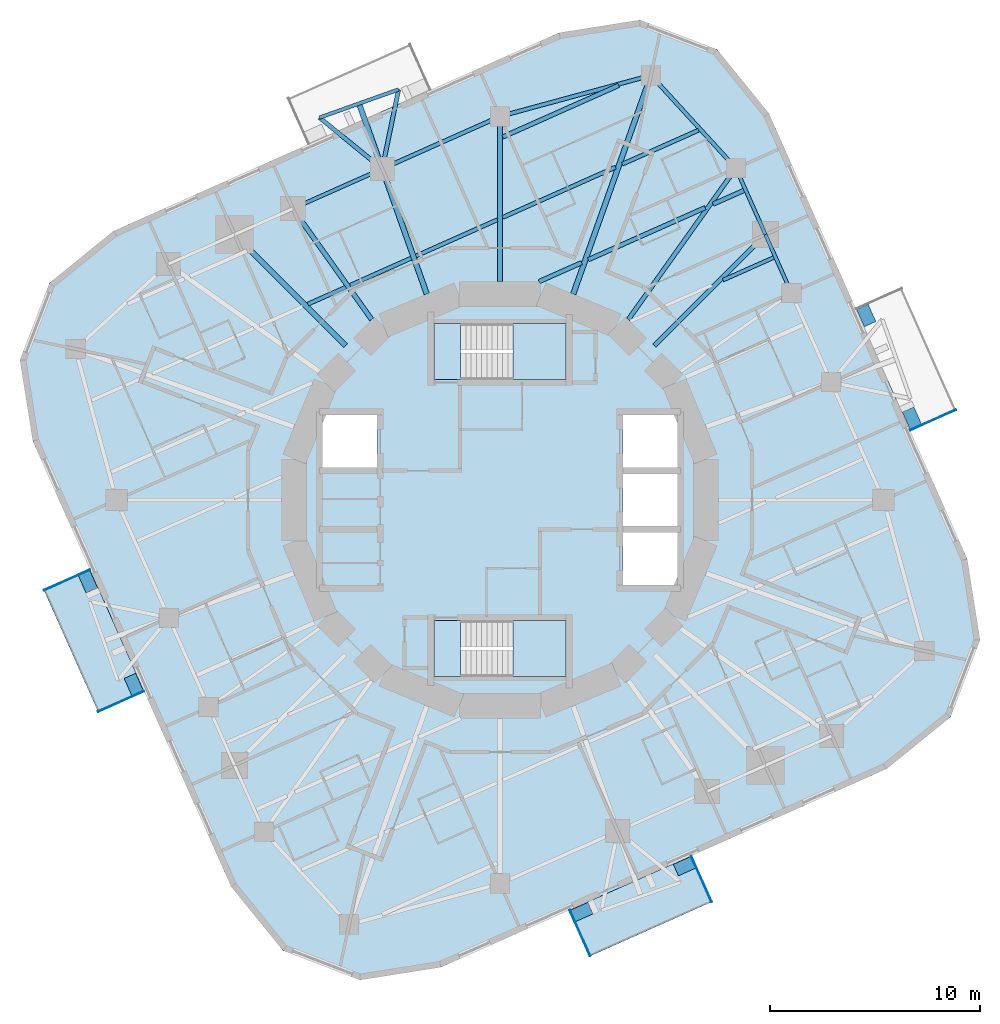
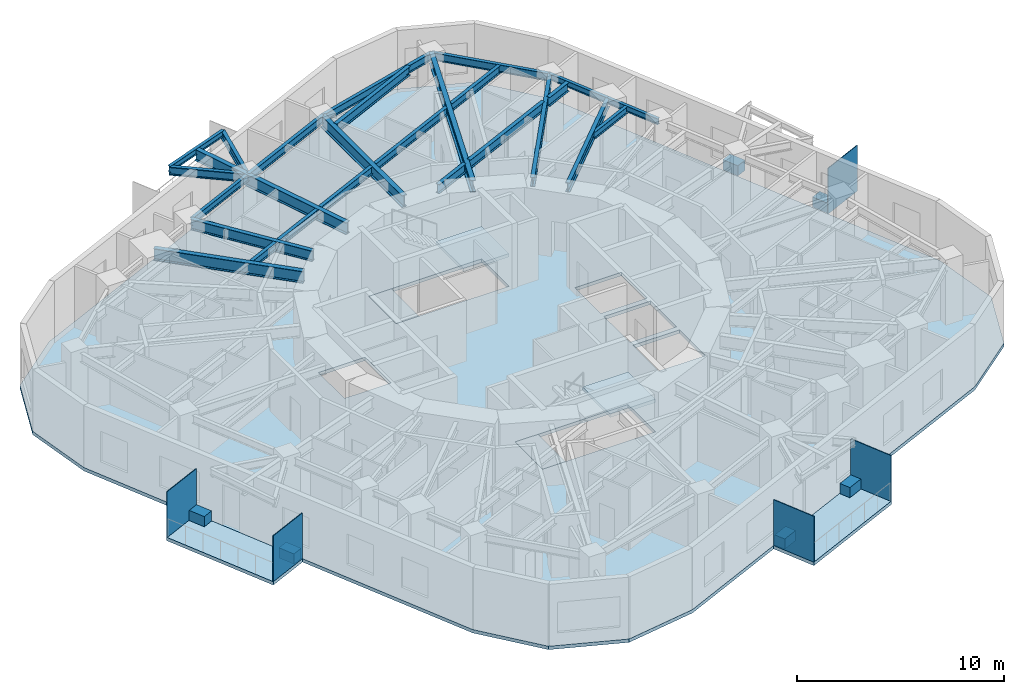
# One storey, part 3 of 12: 26 beams, 11 plates, 7 slabs, 2 elements without a shape of their own.
"""IFC4 building model written with IfcOpenShell, lengths in metres."""

from ifc_helpers import new_model, si_unit, direction, frame, origin, origin_2d, place, context, subcontext, project, spatial, polyline, rectangle, i_section, outline, extrude, material, layer, layer_set, material_profile, profile_set, type_object, element, aggregate, save


model = new_model("IFC4")

# Units and contexts
model_context = context("Model", 3, precision=1e-05, world=origin(), true_north=direction((0.0, 1.0)))
body_context = subcontext(model_context, "Body", "Model", "MODEL_VIEW")
ifc_project = project(units=[si_unit("LENGTHUNIT", "METRE"), si_unit("AREAUNIT", "SQUARE_METRE"), si_unit("VOLUMEUNIT", "CUBIC_METRE"), si_unit("PLANEANGLEUNIT", "RADIAN"), si_unit("MASSUNIT", "GRAM", prefix="KILO")], contexts=[model_context])

# Site, building, storey
site_placement = place(None, origin())
site = spatial("IfcSite", under=ifc_project, at=site_placement, CompositionType="ELEMENT")
building_placement = place(site_placement, origin())
building = spatial("IfcBuilding", under=site, at=building_placement, Name="Nakasero Lantern House", CompositionType="ELEMENT")
storey_placement = place(building_placement, frame((0.0, 0.0, 190.14990234375)))
storey = spatial("IfcBuildingStorey", under=building, at=storey_placement, Name="L46", CompositionType="ELEMENT", Elevation=190.14990234375)

# Beams
ifc_material_1 = material(Name="Steel S355", Category="steel")
ifc_material_profile_1 = material_profile(ifc_material_1, i_section(OverallWidth=0.199462890625, OverallDepth=0.491943359375, WebThickness=0.01806640625, FlangeThickness=0.031982421875, FilletRadius=0.01025390625, at=origin_2d()), Name="UB 457x191x161")
ifc_profile_set_1 = profile_set([ifc_material_profile_1], Name="Steel S355")
beam_type_1 = type_object("IfcBeamType", Name="Balcony splay beam UB 457x191x161", PredefinedType="BEAM", material=ifc_profile_set_1)
beam_1_placement = place(storey_placement, frame((-5.611328125, 15.781982421875, 3.404052734375), z_axis=(-0.774833215206, 0.632165712937, 0.0), x_axis=(-0.632165712937, -0.774833215206, 0.0)))
element("IfcBeam", 1, at=beam_1_placement, inside=storey, type_object=beam_type_1, Name="Balcony splay beam L47 B5-C10A", PredefinedType="BEAM", context=body_context, shape_type="SweptSolid", body=[
    extrude(i_section(OverallWidth=0.199462890625, OverallDepth=0.491943359375, WebThickness=0.01806640625, FlangeThickness=0.031982421875, FilletRadius=0.01025390625, at=origin_2d()), origin(), (0.0, 0.0, 1.0), 3.85888671875),
])
beam_2_placement = place(storey_placement, frame((-5.611328125, 15.781982421875, 3.404052734375), z_axis=(0.201831438605, 0.979420272605, 0.0), x_axis=(-0.979420272605, 0.201831438605, 0.0)))
element("IfcBeam", 2, at=beam_2_placement, inside=storey, type_object=beam_type_1, Name="Balcony splay beam L47 B5-C10B", PredefinedType="BEAM", context=body_context, shape_type="SweptSolid", body=[
    extrude(i_section(OverallWidth=0.199462890625, OverallDepth=0.491943359375, WebThickness=0.01806640625, FlangeThickness=0.031982421875, FilletRadius=0.01025390625, at=origin_2d()), origin(), (0.0, 0.0, 1.0), 3.858642578125),
])
ifc_material_2 = material(Name="Steel S355", Category="steel")
ifc_material_profile_2 = material_profile(ifc_material_2, i_section(OverallWidth=0.17138671875, OverallDepth=0.35498046875, WebThickness=0.00732421875, FlangeThickness=0.011474609375, FilletRadius=0.01025390625, at=origin_2d()), Name="UB 356x171x51")
ifc_profile_set_2 = profile_set([ifc_material_profile_2], Name="Steel S355")
beam_type_2 = type_object("IfcBeamType", Name="Balcony tie beam UB 356x171x51", PredefinedType="BEAM", material=ifc_profile_set_2)
beam_3_placement = place(storey_placement, frame((-8.601318359375, 18.221435546875, 3.47265625), z_axis=(0.94222839004, 0.334971134582, 0.0), x_axis=(-0.334971134582, 0.94222839004, 0.0)))
element("IfcBeam", 3, at=beam_3_placement, inside=storey, type_object=beam_type_2, Name="Balcony tie beam L47 B5-C10", PredefinedType="BEAM", context=body_context, shape_type="SweptSolid", body=[
    extrude(i_section(OverallWidth=0.17138671875, OverallDepth=0.35498046875, WebThickness=0.00732421875, FlangeThickness=0.011474609375, FilletRadius=0.01025390625, at=origin_2d()), origin(), (0.0, 0.0, 1.0), 4.0),
])
ifc_material_3 = material(Name="Steel S355", Category="steel")
ifc_material_profile_3 = material_profile(ifc_material_3, i_section(OverallWidth=0.177978515625, OverallDepth=0.406494140625, WebThickness=0.0078125, FlangeThickness=0.0126953125, FilletRadius=0.01025390625, at=origin_2d()), Name="UB 406x178x60")
ifc_profile_set_3 = profile_set([ifc_material_profile_3], Name="Steel S355")
beam_type_3 = type_object("IfcBeamType", Name="Infill beam UB 406x178x60", PredefinedType="JOIST", material=ifc_profile_set_3)
beam_4_placement = place(storey_placement, frame((10.626708984375, 10.47802734375, 3.44677734375), z_axis=(0.913529602849, 0.406772251658, 0.0), x_axis=(-0.406772251658, 0.913529602849, 0.0)))
element("IfcBeam", 4, at=beam_4_placement, inside=storey, type_object=beam_type_3, Name="Infill beam L47 09.4", PredefinedType="JOIST", context=body_context, shape_type="SweptSolid", body=[
    extrude(i_section(OverallWidth=0.177978515625, OverallDepth=0.406494140625, WebThickness=0.0078125, FlangeThickness=0.0126953125, FilletRadius=0.01025390625, at=origin_2d()), origin(), (0.0, 0.0, 1.0), 2.64453125),
])
ifc_material_4 = material(Name="Steel S355", Category="steel")
ifc_material_profile_4 = material_profile(ifc_material_4, i_section(OverallWidth=0.18994140625, OverallDepth=0.453369140625, WebThickness=0.008544921875, FlangeThickness=0.0126953125, FilletRadius=0.01025390625, at=origin_2d()), Name="UB 457x191x67")
ifc_profile_set_4 = profile_set([ifc_material_profile_4], Name="Steel S355")
beam_type_4 = type_object("IfcBeamType", Name="Infill beam UB 457x191x67", PredefinedType="JOIST", material=ifc_profile_set_4)
beam_5_placement = place(storey_placement, frame((-9.153076171875, 9.333984375, 3.42333984375), z_axis=(0.913536028639, 0.406757820304, 0.0), x_axis=(-0.406757820304, 0.913536028639, 0.0)))
element("IfcBeam", 5, at=beam_5_placement, inside=storey, type_object=beam_type_4, Name="Infill beam L47 11.4", PredefinedType="JOIST", context=body_context, shape_type="SweptSolid", body=[
    extrude(i_section(OverallWidth=0.18994140625, OverallDepth=0.453369140625, WebThickness=0.008544921875, FlangeThickness=0.0126953125, FilletRadius=0.01025390625, at=origin_2d()), origin(), (0.0, 0.0, 1.0), 1.974609375),
])
beam_6_placement = place(storey_placement, frame((-7.1357421875, 10.232177734375, 3.42333984375), z_axis=(0.913535738899, 0.406758471029, 0.0), x_axis=(-0.406758471029, 0.913535738899, 0.0)))
element("IfcBeam", 6, at=beam_6_placement, inside=storey, type_object=beam_type_4, Name="Infill beam L47 11.5", PredefinedType="JOIST", context=body_context, shape_type="SweptSolid", body=[
    extrude(i_section(OverallWidth=0.18994140625, OverallDepth=0.453369140625, WebThickness=0.008544921875, FlangeThickness=0.0126953125, FilletRadius=0.01025390625, at=origin_2d()), origin(), (0.0, 0.0, 1.0), 3.17822265625),
])
beam_7_placement = place(storey_placement, frame((-4.0, 11.62841796875, 3.42333984375), z_axis=(0.913552455182, 0.40672092598, 0.0), x_axis=(-0.40672092598, 0.913552455182, 0.0)))
element("IfcBeam", 7, at=beam_7_placement, inside=storey, type_object=beam_type_4, Name="Infill beam L47 11.6", PredefinedType="JOIST", context=body_context, shape_type="SweptSolid", body=[
    extrude(i_section(OverallWidth=0.18994140625, OverallDepth=0.453369140625, WebThickness=0.008544921875, FlangeThickness=0.0126953125, FilletRadius=0.01025390625, at=origin_2d()), origin(), (0.0, 0.0, 1.0), 4.238525390625),
])
beam_8_placement = place(storey_placement, frame((0.1279296875, 13.46630859375, 3.42333984375), z_axis=(0.913542777248, 0.406742663287, 0.0), x_axis=(-0.406742663287, 0.913542777248, 0.0)))
element("IfcBeam", 8, at=beam_8_placement, inside=storey, type_object=beam_type_4, Name="Infill beam L47 11.7", PredefinedType="JOIST", context=body_context, shape_type="SweptSolid", body=[
    extrude(i_section(OverallWidth=0.18994140625, OverallDepth=0.453369140625, WebThickness=0.008544921875, FlangeThickness=0.0126953125, FilletRadius=0.01025390625, at=origin_2d()), origin(), (0.0, 0.0, 1.0), 5.88525390625),
])
beam_9_placement = place(storey_placement, frame((5.824462890625, 16.00244140625, 3.42333984375), z_axis=(0.91354552237, 0.406736497695, 0.0), x_axis=(-0.406736497695, 0.91354552237, 0.0)))
element("IfcBeam", 9, at=beam_9_placement, inside=storey, type_object=beam_type_4, Name="Infill beam L47 11.8", PredefinedType="JOIST", context=body_context, shape_type="SweptSolid", body=[
    extrude(i_section(OverallWidth=0.18994140625, OverallDepth=0.453369140625, WebThickness=0.008544921875, FlangeThickness=0.0126953125, FilletRadius=0.01025390625, at=origin_2d()), origin(), (0.0, 0.0, 1.0), 3.9765625),
])
ifc_material_5 = material(Name="Steel S355", Category="steel")
ifc_material_profile_5 = material_profile(ifc_material_5, i_section(OverallWidth=0.2099609375, OverallDepth=0.53662109375, WebThickness=0.0107421875, FlangeThickness=0.017333984375, FilletRadius=0.0126953125, at=origin_2d()), Name="UB 533x210x101")
ifc_profile_set_5 = profile_set([ifc_material_profile_5], Name="Steel S355")
beam_type_5 = type_object("IfcBeamType", Name="Infill beam UB 533x210x101", PredefinedType="JOIST", material=ifc_profile_set_5)
beam_10_placement = place(storey_placement, frame((0.1279296875, 17.29736328125, 3.3818359375), z_axis=(0.913537020085, 0.406755593611, 0.0), x_axis=(-0.406755593611, 0.913537020085, 0.0)))
element("IfcBeam", 10, at=beam_10_placement, inside=storey, type_object=beam_type_5, Name="Infill beam L47 12.3", PredefinedType="JOIST", context=body_context, shape_type="SweptSolid", body=[
    extrude(i_section(OverallWidth=0.2099609375, OverallDepth=0.53662109375, WebThickness=0.0107421875, FlangeThickness=0.017333984375, FilletRadius=0.0126953125, at=origin_2d()), origin(), (0.0, 0.0, 1.0), 6.0556640625),
])
ifc_material_6 = material(Name="Steel S355", Category="steel")
ifc_material_profile_6 = material_profile(ifc_material_6, i_section(OverallWidth=0.208740234375, OverallDepth=0.5283203125, WebThickness=0.009521484375, FlangeThickness=0.01318359375, FilletRadius=0.0126953125, at=origin_2d()), Name="UB 533x210x82")
ifc_profile_set_6 = profile_set([ifc_material_profile_6], Name="Steel S355")
beam_type_6 = type_object("IfcBeamType", Name="Infill beam UB 533x210x82", PredefinedType="JOIST", material=ifc_profile_set_6)
beam_11_placement = place(storey_placement, frame((1.86376953125, 10.407958984375, 3.385986328125), z_axis=(0.913538457968, 0.406752364238, 0.0), x_axis=(-0.406752364238, 0.913538457968, 0.0)))
element("IfcBeam", 11, at=beam_11_placement, inside=storey, type_object=beam_type_6, Name="Infill beam L47 10.3", PredefinedType="JOIST", context=body_context, shape_type="SweptSolid", body=[
    extrude(i_section(OverallWidth=0.208740234375, OverallDepth=0.5283203125, WebThickness=0.009521484375, FlangeThickness=0.01318359375, FilletRadius=0.0126953125, at=origin_2d()), origin(), (0.0, 0.0, 1.0), 2.213623046875),
])
beam_12_placement = place(storey_placement, frame((4.2060546875, 11.45068359375, 3.385986328125), z_axis=(0.913537341067, 0.406754872713, 0.0), x_axis=(-0.406754872713, 0.913537341067, 0.0)))
element("IfcBeam", 12, at=beam_12_placement, inside=storey, type_object=beam_type_6, Name="Infill beam L47 10.4", PredefinedType="JOIST", context=body_context, shape_type="SweptSolid", body=[
    extrude(i_section(OverallWidth=0.208740234375, OverallDepth=0.5283203125, WebThickness=0.009521484375, FlangeThickness=0.01318359375, FilletRadius=0.0126953125, at=origin_2d()), origin(), (0.0, 0.0, 1.0), 6.099365234375),
])
beam_13_placement = place(storey_placement, frame((10.155029296875, 14.099365234375, 3.385986328125), z_axis=(0.913522313414, 0.406788621884, 0.0), x_axis=(-0.406788621884, 0.913522313414, 0.0)))
element("IfcBeam", 13, at=beam_13_placement, inside=storey, type_object=beam_type_6, Name="Infill beam L47 10.5", PredefinedType="JOIST", context=body_context, shape_type="SweptSolid", body=[
    extrude(i_section(OverallWidth=0.208740234375, OverallDepth=0.5283203125, WebThickness=0.009521484375, FlangeThickness=0.01318359375, FilletRadius=0.0126953125, at=origin_2d()), origin(), (0.0, 0.0, 1.0), 1.6025390625),
])
ifc_material_7 = material(Name="Steel S355", Category="steel")
ifc_material_profile_7 = material_profile(ifc_material_7, i_section(OverallWidth=0.2099609375, OverallDepth=0.53662109375, WebThickness=0.0107421875, FlangeThickness=0.017333984375, FilletRadius=0.0126953125, at=origin_2d()), Name="UB 533x210x101")
ifc_profile_set_7 = profile_set([ifc_material_profile_7], Name="Steel S355")
beam_type_7 = type_object("IfcBeamType", Name="Primary beam UB 533x210x101, span 6 to 9 m", PredefinedType="BEAM", material=ifc_profile_set_7)
beam_14_placement = place(storey_placement, frame((12.64892578125, 12.64892578125, 3.3818359375), z_axis=(-0.707106781187, -0.707106781187, 0.0), x_axis=(0.707106781187, -0.707106781187, 0.0)))
element("IfcBeam", 14, at=beam_14_placement, inside=storey, type_object=beam_type_7, Name="Primary beam L47 B5-C06", PredefinedType="BEAM", context=body_context, shape_type="SweptSolid", body=[
    extrude(i_section(OverallWidth=0.2099609375, OverallDepth=0.53662109375, WebThickness=0.0107421875, FlangeThickness=0.017333984375, FilletRadius=0.0126953125, at=origin_2d()), origin(), (0.0, 0.0, 1.0), 7.48046875),
])
beam_15_placement = place(storey_placement, frame((11.241943359375, 15.808837890625, 3.3818359375), z_axis=(-0.579536824926, -0.814946052543, 0.0), x_axis=(0.814946052543, -0.579536824926, 0.0)))
element("IfcBeam", 15, at=beam_15_placement, inside=storey, type_object=beam_type_7, Name="Primary beam L47 B5-C07", PredefinedType="BEAM", context=body_context, shape_type="SweptSolid", body=[
    extrude(i_section(OverallWidth=0.2099609375, OverallDepth=0.53662109375, WebThickness=0.0107421875, FlangeThickness=0.017333984375, FilletRadius=0.0126953125, at=origin_2d()), origin(), (0.0, 0.0, 1.0), 8.84326171875),
])
ifc_material_8 = material(Name="Steel S355", Category="steel")
ifc_material_profile_8 = material_profile(ifc_material_8, i_section(OverallWidth=0.22900390625, OverallDepth=0.6123046875, WebThickness=0.011962890625, FlangeThickness=0.01953125, FilletRadius=0.0126953125, at=origin_2d()), Name="UB 610x229x125")
ifc_profile_set_8 = profile_set([ifc_material_profile_8], Name="Steel S355")
beam_type_8 = type_object("IfcBeamType", Name="Primary beam UB 610x229x125, span 6 to 9 m", PredefinedType="BEAM", material=ifc_profile_set_8)
beam_16_placement = place(storey_placement, frame((-9.87353515625, 13.884521484375, 3.343994140625), z_axis=(0.57954101868, -0.8149430702, 0.0), x_axis=(0.8149430702, 0.57954101868, 0.0)))
element("IfcBeam", 16, at=beam_16_placement, inside=storey, type_object=beam_type_8, Name="Primary beam L47 B5-C11", PredefinedType="BEAM", context=body_context, shape_type="SweptSolid", body=[
    extrude(i_section(OverallWidth=0.22900390625, OverallDepth=0.6123046875, WebThickness=0.011962890625, FlangeThickness=0.01953125, FilletRadius=0.0126953125, at=origin_2d()), origin(), (0.0, 0.0, 1.0), 6.48193359375),
])
ifc_material_9 = material(Name="Steel S355", Category="steel")
ifc_material_profile_9 = material_profile(ifc_material_9, i_section(OverallWidth=0.253662109375, OverallDepth=0.68359375, WebThickness=0.012451171875, FlangeThickness=0.01904296875, FilletRadius=0.01513671875, at=origin_2d()), Name="UB 686x254x140")
ifc_profile_set_9 = profile_set([ifc_material_profile_9], Name="Steel S355")
beam_type_9 = type_object("IfcBeamType", Name="Primary beam UB 686x254x140, span 6 to 9 m", PredefinedType="BEAM", material=ifc_profile_set_9)
beam_17_placement = place(storey_placement, frame((-6.717041015625, 18.891357421875, 3.308349609375), z_axis=(0.335030177005, -0.942207397814, 0.0), x_axis=(0.942207397814, 0.335030177005, 0.0)))
element("IfcBeam", 17, at=beam_17_placement, inside=storey, type_object=beam_type_9, Name="Primary beam L47 B5-C10", PredefinedType="BEAM", context=body_context, shape_type="SweptSolid", body=[
    extrude(i_section(OverallWidth=0.253662109375, OverallDepth=0.68359375, WebThickness=0.012451171875, FlangeThickness=0.01904296875, FilletRadius=0.01513671875, at=origin_2d()), origin(), (0.0, 0.0, 1.0), 9.62841796875),
])
ifc_material_10 = material(Name="Steel S355", Category="steel")
ifc_material_profile_10 = material_profile(ifc_material_10, i_section(OverallWidth=0.253662109375, OverallDepth=0.68359375, WebThickness=0.012451171875, FlangeThickness=0.01904296875, FilletRadius=0.01513671875, at=origin_2d()), Name="UB 686x254x140")
ifc_profile_set_10 = profile_set([ifc_material_profile_10], Name="Steel S355")
beam_type_10 = type_object("IfcBeamType", Name="Primary beam UB 686x254x140, span 9 to 12 m", PredefinedType="BEAM", material=ifc_profile_set_10)
beam_18_placement = place(storey_placement, frame((7.19482421875, 20.2353515625, 3.308349609375), z_axis=(-0.335020995468, -0.942210662535, 0.0), x_axis=(0.942210662535, -0.335020995468, 0.0)))
element("IfcBeam", 18, at=beam_18_placement, inside=storey, type_object=beam_type_10, Name="Primary beam L47 B5-C08", PredefinedType="BEAM", context=body_context, shape_type="SweptSolid", body=[
    extrude(i_section(OverallWidth=0.253662109375, OverallDepth=0.68359375, WebThickness=0.012451171875, FlangeThickness=0.01904296875, FilletRadius=0.01513671875, at=origin_2d()), origin(), (0.0, 0.0, 1.0), 11.054931640625),
])
ifc_material_11 = material(Name="Steel S355", Category="steel")
ifc_material_profile_11 = material_profile(ifc_material_11, i_section(OverallWidth=0.255859375, OverallDepth=0.69287109375, WebThickness=0.014404296875, FlangeThickness=0.023681640625, FilletRadius=0.01513671875, at=origin_2d()), Name="UB 686x254x170")
ifc_profile_set_11 = profile_set([ifc_material_profile_11], Name="Steel S355")
beam_type_11 = type_object("IfcBeamType", Name="Primary beam UB 686x254x170, span 6 to 9 m", PredefinedType="BEAM", material=ifc_profile_set_11)
beam_19_placement = place(storey_placement, frame((0.0, 18.280517578125, 3.3037109375), z_axis=(0.0, -1.0, 0.0), x_axis=(1.0, 0.0, 0.0)))
element("IfcBeam", 19, at=beam_19_placement, inside=storey, type_object=beam_type_11, Name="Primary beam L47 B5-C09", PredefinedType="BEAM", context=body_context, shape_type="SweptSolid", body=[
    extrude(i_section(OverallWidth=0.255859375, OverallDepth=0.69287109375, WebThickness=0.014404296875, FlangeThickness=0.023681640625, FilletRadius=0.01513671875, at=origin_2d()), origin(), (0.0, 0.0, 1.0), 7.87255859375),
])
beam_20_placement = place(storey_placement, frame((-12.64892578125, 12.64892578125, 3.3037109375), z_axis=(0.707106781187, -0.707106781187, 0.0), x_axis=(0.707106781187, 0.707106781187, 0.0)))
element("IfcBeam", 20, at=beam_20_placement, inside=storey, type_object=beam_type_11, Name="Primary beam L47 B5-C12", PredefinedType="BEAM", context=body_context, shape_type="SweptSolid", body=[
    extrude(i_section(OverallWidth=0.255859375, OverallDepth=0.69287109375, WebThickness=0.014404296875, FlangeThickness=0.023681640625, FilletRadius=0.01513671875, at=origin_2d()), origin(), (0.0, 0.0, 1.0), 7.48046875),
])
ifc_material_12 = material(Name="Steel S355", Category="steel")
ifc_material_profile_12 = material_profile(ifc_material_12, i_section(OverallWidth=0.17138671875, OverallDepth=0.35498046875, WebThickness=0.00732421875, FlangeThickness=0.011474609375, FilletRadius=0.01025390625, at=origin_2d()), Name="UB 356x171x51")
ifc_profile_set_12 = profile_set([ifc_material_profile_12], Name="Steel S355")
beam_type_12 = type_object("IfcBeamType", Name="Ring beam UB 356x171x51", PredefinedType="BEAM", material=ifc_profile_set_12)
beam_21_placement = place(storey_placement, frame((13.884521484375, 9.87353515625, 3.47265625), z_axis=(-0.40671251915, 0.913556197925, 0.0), x_axis=(-0.913556197925, -0.40671251915, 0.0)))
element("IfcBeam", 21, at=beam_21_placement, inside=storey, type_object=beam_type_12, Name="Ring beam L47 B5-C05", PredefinedType="BEAM", context=body_context, shape_type="SweptSolid", body=[
    extrude(i_section(OverallWidth=0.17138671875, OverallDepth=0.35498046875, WebThickness=0.00732421875, FlangeThickness=0.011474609375, FilletRadius=0.01025390625, at=origin_2d()), origin(), (0.0, 0.0, 1.0), 3.0380859375),
])
beam_22_placement = place(storey_placement, frame((12.64892578125, 12.64892578125, 3.47265625), z_axis=(-0.406760506795, 0.913534832457, 0.0), x_axis=(-0.913534832457, -0.406760506795, 0.0)))
element("IfcBeam", 22, at=beam_22_placement, inside=storey, type_object=beam_type_12, Name="Ring beam L47 B5-C06", PredefinedType="BEAM", context=body_context, shape_type="SweptSolid", body=[
    extrude(i_section(OverallWidth=0.17138671875, OverallDepth=0.35498046875, WebThickness=0.00732421875, FlangeThickness=0.011474609375, FilletRadius=0.01025390625, at=origin_2d()), origin(), (0.0, 0.0, 1.0), 3.458984375),
])
ifc_material_13 = material(Name="Steel S355", Category="steel")
ifc_material_profile_13 = material_profile(ifc_material_13, i_section(OverallWidth=0.177978515625, OverallDepth=0.406494140625, WebThickness=0.0078125, FlangeThickness=0.0126953125, FilletRadius=0.01025390625, at=origin_2d()), Name="UB 406x178x60")
ifc_profile_set_13 = profile_set([ifc_material_profile_13], Name="Steel S355")
beam_type_13 = type_object("IfcBeamType", Name="Ring beam UB 406x178x60", PredefinedType="BEAM", material=ifc_profile_set_13)
beam_23_placement = place(storey_placement, frame((-5.611328125, 15.781982421875, 3.44677734375), z_axis=(-0.913561058639, -0.406701600856, 0.0), x_axis=(0.406701600856, -0.913561058639, 0.0)))
element("IfcBeam", 23, at=beam_23_placement, inside=storey, type_object=beam_type_13, Name="Ring beam L47 B5-C10", PredefinedType="BEAM", context=body_context, shape_type="SweptSolid", body=[
    extrude(i_section(OverallWidth=0.177978515625, OverallDepth=0.406494140625, WebThickness=0.0078125, FlangeThickness=0.0126953125, FilletRadius=0.01025390625, at=origin_2d()), origin(), (0.0, 0.0, 1.0), 4.66552734375),
])
ifc_material_14 = material(Name="Steel S355", Category="steel")
ifc_material_profile_14 = material_profile(ifc_material_14, i_section(OverallWidth=0.18994140625, OverallDepth=0.453369140625, WebThickness=0.008544921875, FlangeThickness=0.0126953125, FilletRadius=0.01025390625, at=origin_2d()), Name="UB 457x191x67")
ifc_profile_set_14 = profile_set([ifc_material_profile_14], Name="Steel S355")
beam_type_14 = type_object("IfcBeamType", Name="Ring beam UB 457x191x67", PredefinedType="BEAM", material=ifc_profile_set_14)
beam_24_placement = place(storey_placement, frame((11.241943359375, 15.808837890625, 3.42333984375), z_axis=(-0.674771099966, 0.73802707447, 0.0), x_axis=(-0.73802707447, -0.674771099966, 0.0)))
element("IfcBeam", 24, at=beam_24_placement, inside=storey, type_object=beam_type_14, Name="Ring beam L47 B5-C07", PredefinedType="BEAM", context=body_context, shape_type="SweptSolid", body=[
    extrude(i_section(OverallWidth=0.18994140625, OverallDepth=0.453369140625, WebThickness=0.008544921875, FlangeThickness=0.0126953125, FilletRadius=0.01025390625, at=origin_2d()), origin(), (0.0, 0.0, 1.0), 5.997802734375),
])
beam_25_placement = place(storey_placement, frame((7.19482421875, 20.2353515625, 3.42333984375), z_axis=(-0.965015017941, -0.26219461312, 0.0), x_axis=(0.26219461312, -0.965015017941, 0.0)))
element("IfcBeam", 25, at=beam_25_placement, inside=storey, type_object=beam_type_14, Name="Ring beam L47 B5-C08", PredefinedType="BEAM", context=body_context, shape_type="SweptSolid", body=[
    extrude(i_section(OverallWidth=0.18994140625, OverallDepth=0.453369140625, WebThickness=0.008544921875, FlangeThickness=0.0126953125, FilletRadius=0.01025390625, at=origin_2d()), origin(), (0.0, 0.0, 1.0), 7.45556640625),
])
ifc_material_15 = material(Name="Steel S355", Category="steel")
ifc_material_profile_15 = material_profile(ifc_material_15, i_section(OverallWidth=0.19140625, OverallDepth=0.4599609375, WebThickness=0.010009765625, FlangeThickness=0.01611328125, FilletRadius=0.01025390625, at=origin_2d()), Name="UB 457x191x82")
ifc_profile_set_15 = profile_set([ifc_material_profile_15], Name="Steel S355")
beam_type_15 = type_object("IfcBeamType", Name="Ring beam UB 457x191x82", PredefinedType="BEAM", material=ifc_profile_set_15)
beam_26_placement = place(storey_placement, frame((0.0, 18.280517578125, 3.420166015625), z_axis=(-0.913532698569, -0.406765299215, 0.0), x_axis=(0.406765299215, -0.913532698569, 0.0)))
element("IfcBeam", 26, at=beam_26_placement, inside=storey, type_object=beam_type_15, Name="Ring beam L47 B5-C09", PredefinedType="BEAM", context=body_context, shape_type="SweptSolid", body=[
    extrude(i_section(OverallWidth=0.19140625, OverallDepth=0.4599609375, WebThickness=0.010009765625, FlangeThickness=0.01611328125, FilletRadius=0.01025390625, at=origin_2d()), origin(), (0.0, 0.0, 1.0), 6.142333984375),
])

# Plates
ifc_material_16 = material(Name="Aluminium 6063-T6", Category="aluminium")
ifc_layer_1 = layer(ifc_material_16, 0.60009765625)
ifc_layer_set_1 = layer_set([ifc_layer_1], Name="Balcony planter 600x900")
plate_type_1 = type_object("IfcPlateType", Name="Balcony planter 600x900", PredefinedType="USERDEFINED", material=ifc_layer_set_1)
for number, where, z_axis, x_axis, name in (
    (27, (19.629638671875, 3.90283203125, 0.0), (0.0, 0.0, 1.0), (0.913545457643, 0.406736643076, 0.0), "Balcony PLANTER L46 BAL0A"),
    (28, (17.452880859375, 8.791748046875, 0.0), (0.0, 0.0, 1.0), (0.913545457643, 0.406736643076, 0.0), "Balcony PLANTER L46 BAL0B"),
    (29, (-19.629638671875, -3.90283203125, 0.0), (0.0, 0.0, 1.0), (-0.913545457643, -0.406736643076, 0.0), "Balcony PLANTER L46 BAL2A"),
    (30, (-17.452880859375, -8.791748046875, 0.0), (0.0, 0.0, 1.0), (-0.913545457643, -0.406736643076, 0.0), "Balcony PLANTER L46 BAL2B"),
    (31, (3.90283203125, -19.629638671875, 0.0), (0.0, 0.0, 1.0), (0.406736643076, -0.913545457643, 0.0), "Balcony PLANTER L46 BAL3A"),
    (32, (8.791748046875, -17.452880859375, 0.0), (0.0, 0.0, 1.0), (0.406736643076, -0.913545457643, 0.0), "Balcony PLANTER L46 BAL3B"),
):
    element("IfcPlate", number, at=place(storey_placement, frame(where, z_axis=z_axis, x_axis=x_axis)), inside=storey, type_object=plate_type_1, Name=name, ObjectType="PLANTER", PredefinedType="USERDEFINED", context=body_context, shape_type="SweptSolid", body=[
        extrude(rectangle(XDim=0.60009765625, YDim=0.89990234375, at=origin_2d()), origin(), (0.0, 0.0, 1.0), 0.60009765625),
    ])
ifc_material_17 = material(Name="Aluminium 6063-T6", Category="aluminium")
ifc_layer_2 = layer(ifc_material_17, 0.0400390625)
ifc_layer_set_2 = layer_set([ifc_layer_2], Name="Balcony screen 2400x2700")
plate_type_2 = type_object("IfcPlateType", Name="Balcony screen 2400x2700", PredefinedType="SHEET", material=ifc_layer_set_2)
for number, where, z_axis, x_axis, name in (
    (33, (20.6328125, 3.813232421875, 0.0), (0.0, 0.0, 1.0), (0.913545457643, 0.406736643076, 0.0), "Balcony SCREEN L46 BAL0A"),
    (34, (-20.6328125, -3.813232421875, 0.0), (0.0, 0.0, 1.0), (-0.913545457643, -0.406736643076, 0.0), "Balcony SCREEN L46 BAL2A"),
    (35, (-18.0576171875, -9.59716796875, 0.0), (0.0, 0.0, 1.0), (-0.913545457643, -0.406736643076, 0.0), "Balcony SCREEN L46 BAL2B"),
    (36, (3.813232421875, -20.6328125, 0.0), (0.0, 0.0, 1.0), (0.406736643076, -0.913545457643, 0.0), "Balcony SCREEN L46 BAL3A"),
    (37, (9.59716796875, -18.0576171875, 0.0), (0.0, 0.0, 1.0), (0.406736643076, -0.913545457643, 0.0), "Balcony SCREEN L46 BAL3B"),
):
    element("IfcPlate", number, at=place(storey_placement, frame(where, z_axis=z_axis, x_axis=x_axis)), inside=storey, type_object=plate_type_2, Name=name, PredefinedType="SHEET", context=body_context, shape_type="SweptSolid", body=[
        extrude(rectangle(XDim=2.39990234375, YDim=0.0400390625, at=origin_2d()), origin(), (0.0, 0.0, 1.0), 2.699951171875),
    ])

# Slabs
ifc_material_18 = material(Name="Concrete C35/45", Category="concrete")
ifc_layer_3 = layer(ifc_material_18, 0.199951171875)
ifc_layer_set_3 = layer_set([ifc_layer_3], Name="Balcony slab 200")
slab_type_1 = type_object("IfcSlabType", Name="Balcony slab 200", PredefinedType="USERDEFINED", material=ifc_layer_set_3)
slab_1_placement = place(storey_placement, frame((0.0, 0.0, -0.199951171875)))
element("IfcSlab", 38, at=slab_1_placement, inside=storey, type_object=slab_type_1, Name="Balcony L46 BAL2", ObjectType="BALCONY", PredefinedType="USERDEFINED", context=body_context, shape_type="SweptSolid", body=[
    extrude(outline(polyline([(-19.544677734375, -3.306884765625), (-21.7373046875, -4.282958984375), (-19.145751953125, -10.103515625), (-16.953125, -9.12744140625), (-19.544677734375, -3.306884765625)])), origin(), (0.0, 0.0, 1.0), 0.199951171875),
])
slab_2_placement = place(storey_placement, frame((0.0, 0.0, -0.199951171875)))
element("IfcSlab", 39, at=slab_2_placement, inside=storey, type_object=slab_type_1, Name="Balcony L46 BAL3", ObjectType="BALCONY", PredefinedType="USERDEFINED", context=body_context, shape_type="SweptSolid", body=[
    extrude(outline(polyline([(3.306884765625, -19.544677734375), (4.282958984375, -21.7373046875), (10.103515625, -19.145751953125), (9.12744140625, -16.953125), (3.306884765625, -19.544677734375)])), origin(), (0.0, 0.0, 1.0), 0.199951171875),
])
ifc_material_19 = material(Name="Concrete C35/45", Category="concrete")
ifc_layer_4 = layer(ifc_material_19, 0.199951171875)
ifc_layer_set_4 = layer_set([ifc_layer_4], Name="Composite floor slab 200")
slab_type_2 = type_object("IfcSlabType", Name="Composite floor slab 200", PredefinedType="FLOOR", material=ifc_layer_set_4)
slab_3_placement = place(storey_placement, frame((0.0, 0.0, -0.199951171875)))
element("IfcSlab", 40, at=slab_3_placement, inside=storey, type_object=slab_type_2, Name="Floor slab L46", PredefinedType="FLOOR", context=body_context, shape_type="SweptSolid", body=[
    extrude(outline(polyline([(12.822021484375, 18.406494140625), (10.34619140625, 21.4638671875), (6.67333984375, 22.87353515625), (2.787841796875, 22.25830078125), (-18.406494140625, 12.822021484375), (-21.4638671875, 10.34619140625), (-22.87353515625, 6.67333984375), (-22.25830078125, 2.787841796875), (-12.822021484375, -18.406494140625), (-10.34619140625, -21.4638671875), (-6.67333984375, -22.87353515625), (-2.787841796875, -22.25830078125), (18.406494140625, -12.822021484375), (21.4638671875, -10.34619140625), (22.87353515625, -6.67333984375), (22.25830078125, -2.787841796875), (12.822021484375, 18.406494140625)]), holes=[polyline([(-8.449951171875, 1.550048828125), (-5.85009765625, 1.550048828125), (-5.85009765625, 4.050048828125), (-8.449951171875, 4.050048828125), (-8.449951171875, 1.550048828125)]), polyline([(5.85009765625, -4.050048828125), (8.449951171875, -4.050048828125), (8.449951171875, -1.550048828125), (5.85009765625, -1.550048828125), (5.85009765625, -4.050048828125)]), polyline([(5.85009765625, -1.25), (8.449951171875, -1.25), (8.449951171875, 1.25), (5.85009765625, 1.25), (5.85009765625, -1.25)]), polyline([(5.85009765625, 1.550048828125), (8.449951171875, 1.550048828125), (8.449951171875, 4.050048828125), (5.85009765625, 4.050048828125), (5.85009765625, 1.550048828125)]), polyline([(-3.14990234375, 5.75), (3.14990234375, 5.75), (3.14990234375, 8.39990234375), (-3.14990234375, 8.39990234375), (-3.14990234375, 5.75)]), polyline([(-3.14990234375, -8.39990234375), (3.14990234375, -8.39990234375), (3.14990234375, -5.75), (-3.14990234375, -5.75), (-3.14990234375, -8.39990234375)])]), origin(), (0.0, 0.0, 1.0), 0.199951171875),
])

# Stair, slabs
ifc_material_20 = material(Name="Concrete C40/50", Category="concrete")
stair_type_1 = type_object("IfcStairType", Name="Escape stair ST1 22 risers", PredefinedType="HALF_TURN_STAIR", material=ifc_material_20)
stair_1_placement = place(storey_placement, origin())
stair_1 = element("IfcStair", 41, at=stair_1_placement, inside=storey, type_object=stair_type_1, Name="Escape stair ST1 L46", PredefinedType="HALF_TURN_STAIR")
ifc_material_21 = material(Name="Concrete C40/50", Category="concrete")
ifc_layer_5 = layer(ifc_material_21, 0.199951171875)
ifc_layer_set_5 = layer_set([ifc_layer_5], Name="Stair landing 200")
slab_type_3 = type_object("IfcSlabType", Name="Stair landing 200", PredefinedType="LANDING", material=ifc_layer_set_5)
slab_4_placement = place(storey_placement, frame((0.0, 0.0, -0.199951171875)))
slab_4 = element("IfcSlab", 42, at=slab_4_placement, type_object=slab_type_3, Name="ST1 landing 1", PredefinedType="LANDING", context=body_context, shape_type="SweptSolid", body=[
    extrude(outline(polyline([(-3.14990234375, 5.75), (-1.875, 5.75), (-1.875, 8.39990234375), (-3.14990234375, 8.39990234375), (-3.14990234375, 5.75)])), origin(), (0.0, 0.0, 1.0), 0.199951171875),
])
slab_5_placement = place(storey_placement, frame((0.0, 0.0, 1.72509765625)))
slab_5 = element("IfcSlab", 43, at=slab_5_placement, type_object=slab_type_3, Name="ST1 landing 2", PredefinedType="LANDING", context=body_context, shape_type="SweptSolid", body=[
    extrude(outline(polyline([(0.625, 5.75), (3.14990234375, 5.75), (3.14990234375, 8.39990234375), (0.625, 8.39990234375), (0.625, 5.75)])), origin(), (0.0, 0.0, 1.0), 0.199951171875),
])
aggregate(stair_1, [slab_4, slab_5])

ifc_material_22 = material(Name="Concrete C40/50", Category="concrete")
stair_type_2 = type_object("IfcStairType", Name="Escape stair ST2 22 risers", PredefinedType="HALF_TURN_STAIR", material=ifc_material_22)
stair_2_placement = place(storey_placement, origin())
stair_2 = element("IfcStair", 44, at=stair_2_placement, inside=storey, type_object=stair_type_2, Name="Escape stair ST2 L46", PredefinedType="HALF_TURN_STAIR")
slab_6_placement = place(storey_placement, frame((0.0, 0.0, -0.199951171875)))
slab_6 = element("IfcSlab", 45, at=slab_6_placement, type_object=slab_type_3, Name="ST2 landing 1", PredefinedType="LANDING", context=body_context, shape_type="SweptSolid", body=[
    extrude(outline(polyline([(-3.14990234375, -8.39990234375), (-1.875, -8.39990234375), (-1.875, -5.75), (-3.14990234375, -5.75), (-3.14990234375, -8.39990234375)])), origin(), (0.0, 0.0, 1.0), 0.199951171875),
])
slab_7_placement = place(storey_placement, frame((0.0, 0.0, 1.72509765625)))
slab_7 = element("IfcSlab", 46, at=slab_7_placement, type_object=slab_type_3, Name="ST2 landing 2", PredefinedType="LANDING", context=body_context, shape_type="SweptSolid", body=[
    extrude(outline(polyline([(0.625, -8.39990234375), (3.14990234375, -8.39990234375), (3.14990234375, -5.75), (0.625, -5.75), (0.625, -8.39990234375)])), origin(), (0.0, 0.0, 1.0), 0.199951171875),
])
aggregate(stair_2, [slab_6, slab_7])

save(model, "model.ifc")
